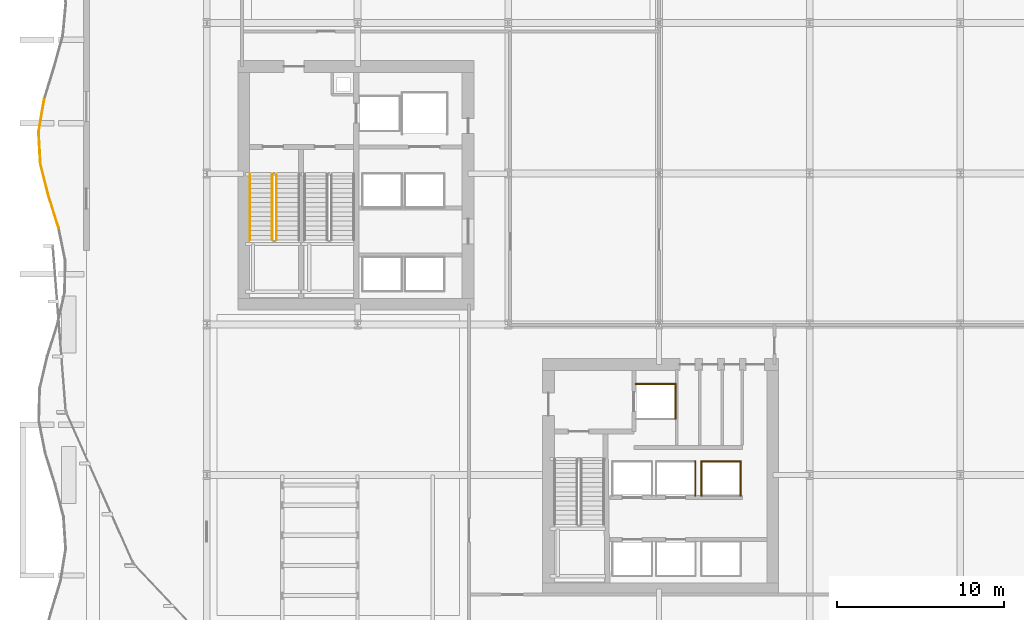
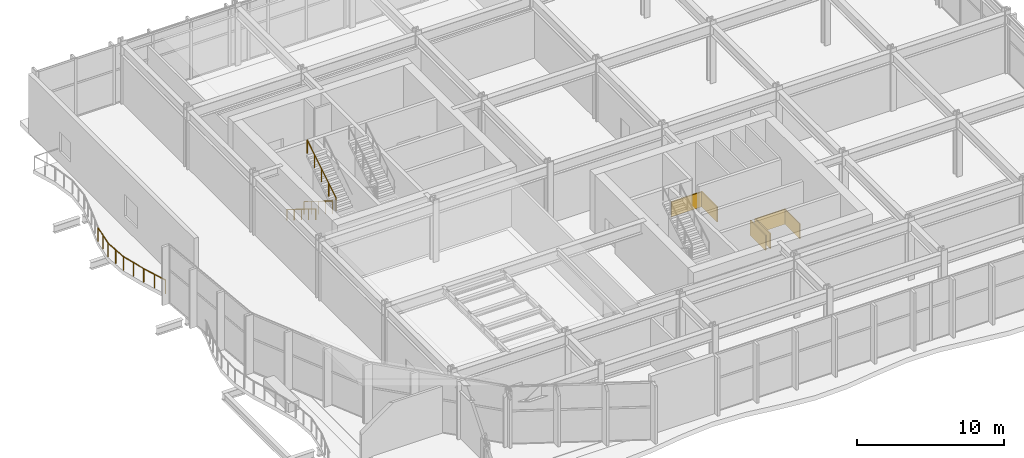
# One storey, part 30 of 33: 7 railings, 6 coverings.
"""IFC4 building model written with IfcOpenShell, lengths in metres."""

import ifcopenshell
import ifcopenshell.guid

model = None  # the IFC model being written
_history = None  # IfcOwnerHistory: only IFC2X3 demands one
_inside = {}  # id of a spatial element -> (the spatial element, [elements in it])
_under = {}  # id of a project, library or spatial element -> (it, [spatial elements below it])
_declared = {}  # id of a project -> (the project, [libraries it declares])
_typed = {}  # id of a type object -> (the type object, [elements of that type])
_made_of = {}  # id of a material, layer set ... -> (it, [elements and type objects made of it])


def new_model(schema):
    """Start an empty IFC model of exactly this schema.

    Asked for "IFC4X3", IfcOpenShell would pick the latest addendum, in which some entities
    have other attributes; the version numbers below select the first issue.
    IFC2X3 requires an IfcOwnerHistory on every rooted entity: one is made here for all.
    """
    global model, _history
    if schema == "IFC4X3":
        model = ifcopenshell.file(schema_version=(4, 3, 0, 0))
    else:
        model = ifcopenshell.file(schema=schema)
    _inside.clear()
    _under.clear()
    _declared.clear()
    _typed.clear()
    _made_of.clear()
    _history = None
    if model.schema == "IFC2X3":
        org = make("IfcOrganization", Name="unknown")
        user = make(
            "IfcPersonAndOrganization",
            ThePerson=make("IfcPerson", FamilyName="unknown"),
            TheOrganization=org,
        )
        app = make(
            "IfcApplication",
            ApplicationDeveloper=org,
            Version="unknown",
            ApplicationFullName="unknown",
            ApplicationIdentifier="unknown",
        )
        _history = make(
            "IfcOwnerHistory",
            OwningUser=user,
            OwningApplication=app,
            ChangeAction="ADDED",
            CreationDate=0,
        )
    return model


def make(cls, **values):
    """One entity of the class cls with the attributes given. An attribute that is None is left unset."""
    return model.create_entity(
        cls, **{name: value for name, value in values.items() if value is not None}
    )


def rooted(cls, **values):
    """An entity with a GlobalId (a new one), such as an element, a storey or a relation."""
    return make(cls, GlobalId=ifcopenshell.guid.new(), OwnerHistory=_history, **values)


def si_unit(unit_type, name, prefix=None):
    """IfcSIUnit, for example si_unit("LENGTHUNIT", "METRE", prefix="MILLI")."""
    return make("IfcSIUnit", UnitType=unit_type, Prefix=prefix, Name=name)


def assignment(units):
    """IfcUnitAssignment: the units of a project."""
    return None if units is None else make("IfcUnitAssignment", Units=units)


def point(xyz):
    """IfcCartesianPoint."""
    return None if xyz is None else make("IfcCartesianPoint", Coordinates=xyz)


def direction(xyz):
    """IfcDirection."""
    return None if xyz is None else make("IfcDirection", DirectionRatios=xyz)


def frame(location, z_axis=None, x_axis=None):
    """IfcAxis2Placement3D, a coordinate frame: its origin and axes. An axis left out is left unset."""
    return make(
        "IfcAxis2Placement3D",
        Location=point(location),
        Axis=direction(z_axis),
        RefDirection=direction(x_axis),
    )


def frame_2d(location, x_axis=None):
    """IfcAxis2Placement2D, a coordinate frame in the plane: its origin and x axis."""
    return make(
        "IfcAxis2Placement2D", Location=point(location), RefDirection=direction(x_axis)
    )


def origin():
    """The frame at (0, 0, 0) with its axes left unset."""
    return frame((0.0, 0.0, 0.0))


def origin_2d():
    """The frame at (0, 0) in the plane with its x axis left unset."""
    return frame_2d((0.0, 0.0))


def place(relative_to, where):
    """IfcLocalPlacement: puts the frame where relative to a parent placement (None: the world)."""
    return make(
        "IfcLocalPlacement", PlacementRelTo=relative_to, RelativePlacement=where
    )


def context(
    kind, dimensions, precision=None, world=None, true_north=None, identifier=None
):
    """IfcGeometricRepresentationContext, for example the 3D "Model" context."""
    return make(
        "IfcGeometricRepresentationContext",
        ContextIdentifier=identifier,
        ContextType=kind,
        CoordinateSpaceDimension=dimensions,
        Precision=precision,
        WorldCoordinateSystem=world,
        TrueNorth=true_north,
    )


def subcontext(parent, identifier, kind, view, scale=None):
    """IfcGeometricRepresentationSubContext, for example "Body" below "Model"."""
    return make(
        "IfcGeometricRepresentationSubContext",
        ContextIdentifier=identifier,
        ContextType=kind,
        ParentContext=parent,
        TargetScale=scale,
        TargetView=view,
    )


def project(units=None, contexts=None):
    """IfcProject with its units and contexts."""
    return rooted(
        "IfcProject",
        Name="project",
        RepresentationContexts=contexts,
        UnitsInContext=assignment(units),
    )


def spatial(cls, under=None, at=None, **own):
    """A site, building, storey or space (cls), placed at a placement, below another one or the project."""
    s = rooted(cls, ObjectPlacement=at, **own)
    if under is not None:
        _under.setdefault(under.id(), (under, []))[1].append(s)
    return s


def profile(cls, at=None, kind="AREA", **sizes):
    """A parametric profile (cls). Its sizes go by their IFC names, for example OverallWidth=200.0."""
    return make(cls, ProfileType=kind, Position=at, **sizes)


def rectangle(**sizes):
    """IfcRectangleProfileDef."""
    return profile("IfcRectangleProfileDef", **sizes)


def circle(**sizes):
    """IfcCircleProfileDef."""
    return profile("IfcCircleProfileDef", **sizes)


def extrude(swept, where, along, depth):
    """IfcExtrudedAreaSolid: the profile swept, set in the frame where, extruded along a direction by depth."""
    return make(
        "IfcExtrudedAreaSolid",
        SweptArea=swept,
        Position=where,
        ExtrudedDirection=direction(along),
        Depth=depth,
    )


def shape(context_of_items, identifier, shape_type, items):
    """IfcShapeRepresentation: the items that make up one representation, for example the "Body"."""
    return make(
        "IfcShapeRepresentation",
        ContextOfItems=context_of_items,
        RepresentationIdentifier=identifier,
        RepresentationType=shape_type,
        Items=items,
    )


def material(Name=None, Category=None):
    """IfcMaterial."""
    return make("IfcMaterial", Name=Name, Category=Category)


def layer(
    of_material, thickness, ventilated=None, Name=None, Category=None, Priority=None
):
    """IfcMaterialLayer: one layer of a wall or slab, of a material (None: an air gap)."""
    return make(
        "IfcMaterialLayer",
        Material=of_material,
        LayerThickness=thickness,
        IsVentilated=ventilated,
        Name=Name,
        Category=Category,
        Priority=Priority,
    )


def layer_set(layers, Name=None):
    """IfcMaterialLayerSet."""
    return make("IfcMaterialLayerSet", MaterialLayers=layers, LayerSetName=Name)


def made_of(thing, what):
    """Note that an element or type object is made of a material, layer set ...; save() writes the relation."""
    if what is not None:
        _made_of.setdefault(what.id(), (what, []))[1].append(thing)
    return thing


def type_object(cls, material=None, **own):
    """A type object (cls), such as IfcWallType, which elements share."""
    return made_of(rooted(cls, **own), material)


def element(
    cls,
    number,
    at=None,
    inside=None,
    cuts=None,
    type_object=None,
    material=None,
    context=None,
    identifier="Body",
    shape_type=None,
    held_by="IfcProductDefinitionShape",
    body=None,
    shapes=None,
    **own,
):
    """One element of the class cls, such as IfcWall. Its Tag is "e" and its number.

    at: its placement. inside: the storey or other place that contains it. cuts: it is an
    opening in that element (IfcRelVoidsElement). A single representation is given by context,
    identifier, shape_type and body (its items); several are given by shapes. held_by: the class
    of the entity that holds the representations. save() writes the other relations.
    """
    e = rooted(cls, Tag="e%d" % number, ObjectPlacement=at, **own)
    if body is not None:
        shapes = [shape(context, identifier, shape_type, body)]
    if shapes is not None:
        e.Representation = make(held_by, Representations=shapes)
    if inside is not None:
        _inside.setdefault(inside.id(), (inside, []))[1].append(e)
    if cuts is not None:
        rooted(
            "IfcRelVoidsElement", RelatingBuildingElement=cuts, RelatedOpeningElement=e
        )
    if type_object is not None:
        _typed.setdefault(type_object.id(), (type_object, []))[1].append(e)
    return made_of(e, material)


def aggregate(whole, parts):
    """IfcRelAggregates: a whole, such as a stair, and the parts it consists of."""
    return rooted("IfcRelAggregates", RelatingObject=whole, RelatedObjects=parts)


def save(model, path):
    """Write the relations noted so far, then the file.

    IfcRelAggregates (storeys below a building ...), IfcRelContainedInSpatialStructure (elements
    in a storey), IfcRelDefinesByType, IfcRelAssociatesMaterial and IfcRelDeclares: one each for
    every whole, place, type object, material and project.
    """
    for whole, parts in _under.values():
        aggregate(whole, parts)
    for where, things in _inside.values():
        rooted(
            "IfcRelContainedInSpatialStructure",
            RelatedElements=things,
            RelatingStructure=where,
        )
    for kind, things in _typed.values():
        rooted("IfcRelDefinesByType", RelatedObjects=things, RelatingType=kind)
    for what, things in _made_of.values():
        rooted("IfcRelAssociatesMaterial", RelatedObjects=things, RelatingMaterial=what)
    for by, libraries in _declared.values():
        rooted("IfcRelDeclares", RelatingContext=by, RelatedDefinitions=libraries)
    model.write(path)


model = new_model("IFC4")

# Units and contexts
model_context = context("Model", 3, precision=1e-05, world=origin(), true_north=direction((0.0, 1.0)))
body_context = subcontext(model_context, "Body", "Model", "MODEL_VIEW")
ifc_project = project(units=[si_unit("LENGTHUNIT", "METRE"), si_unit("AREAUNIT", "SQUARE_METRE"), si_unit("VOLUMEUNIT", "CUBIC_METRE"), si_unit("PLANEANGLEUNIT", "RADIAN"), si_unit("MASSUNIT", "GRAM", prefix="KILO")], contexts=[model_context])

# Site, building, storey
site_placement = place(None, origin())
site = spatial("IfcSite", under=ifc_project, at=site_placement, CompositionType="ELEMENT")
building_placement = place(site_placement, origin())
building = spatial("IfcBuilding", under=site, at=building_placement, Name="Solvaryn Broadcast Tower", CompositionType="ELEMENT")
storey_placement = place(building_placement, frame((0.0, 0.0, 5.800048828125)))
storey = spatial("IfcBuildingStorey", under=building, at=storey_placement, Name="L01", CompositionType="ELEMENT", Elevation=5.800048828125)

# Coverings
ifc_material_1 = material(Name="Fire-Rated Gypsum Shaftwall Liner", Category="concrete")
ifc_layer = layer(ifc_material_1, 0.080078125)
ifc_layer_set = layer_set([ifc_layer], Name="CV-SHAFT-LINER")
covering_type = type_object("IfcCoveringType", Name="CV-SHAFT-LINER", PredefinedType="CLADDING", material=ifc_layer_set)
covering_1_placement = place(storey_placement, frame((35.800048828125, 23.43994140625, 0.0), z_axis=(0.0, 0.0, 1.0), x_axis=(1.0, 0.0, 0.0)))
element("IfcCovering", 1, at=covering_1_placement, inside=storey, type_object=covering_type, Name="L01 FL2 Hoistway Shaft Liner North", PredefinedType="CLADDING", context=body_context, shape_type="SweptSolid", body=[
    extrude(rectangle(XDim=2.4599609375, YDim=0.080078125, at=origin_2d()), origin(), (0.0, 0.0, 1.0), 1.25),
])
covering_2_placement = place(storey_placement, frame((36.989990234375, 22.39990234375, 0.0), z_axis=(0.0, 0.0, 1.0), x_axis=(1.0, 0.0, 0.0)))
element("IfcCovering", 2, at=covering_2_placement, inside=storey, type_object=covering_type, Name="L01 FL2 Hoistway Shaft Liner East", PredefinedType="CLADDING", context=body_context, shape_type="SweptSolid", body=[
    extrude(rectangle(XDim=0.080078125, YDim=2.159912109375, at=origin_2d()), origin(), (0.0, 0.0, 1.0), 1.25),
])
covering_3_placement = place(storey_placement, frame((38.1650390625, 17.800048828125, 0.0), z_axis=(0.0, 0.0, 1.0), x_axis=(1.0, 0.0, 0.0)))
element("IfcCovering", 3, at=covering_3_placement, inside=storey, type_object=covering_type, Name="L01 PL4 Hoistway Shaft Liner East", PredefinedType="CLADDING", context=body_context, shape_type="SweptSolid", body=[
    extrude(rectangle(XDim=0.080078125, YDim=2.110107421875, at=origin_2d()), origin(), (0.0, 0.0, 1.0), 1.25),
])
covering_4_placement = place(storey_placement, frame((39.699951171875, 18.81494140625, 0.0), z_axis=(0.0, 0.0, 1.0), x_axis=(1.0, 0.0, 0.0)))
element("IfcCovering", 4, at=covering_4_placement, inside=storey, type_object=covering_type, Name="L01 PM2 Hoistway Shaft Liner North", PredefinedType="CLADDING", context=body_context, shape_type="SweptSolid", body=[
    extrude(rectangle(XDim=2.409912109375, YDim=0.080078125, at=origin_2d()), origin(), (0.0, 0.0, 1.0), 1.25),
])
for number, where, z_axis, x_axis, name in (
    (5, (40.864990234375, 17.800048828125, 0.0), (0.0, 0.0, 1.0), (1.0, 0.0, 0.0), "L01 PM2 Hoistway Shaft Liner East"),
    (6, (38.534912109375, 17.800048828125, 0.0), (0.0, 0.0, 1.0), (1.0, 0.0, 0.0), "L01 PM2 Hoistway Shaft Liner West"),
):
    element("IfcCovering", number, at=place(storey_placement, frame(where, z_axis=z_axis, x_axis=x_axis)), inside=storey, type_object=covering_type, Name=name, PredefinedType="CLADDING", context=body_context, shape_type="SweptSolid", body=[
        extrude(rectangle(XDim=0.080078125, YDim=2.110107421875, at=origin_2d()), origin(), (0.0, 0.0, 1.0), 1.25),
    ])

# Railings
ifc_material_2 = material(Name="Painted Steel Stair Well Guard", Category="steel")
railing_type_1 = type_object("IfcRailingType", Name="RL-STAIR-GUARD", PredefinedType="BALUSTRADE", material=ifc_material_2)
railing_1_placement = place(storey_placement, frame((12.909912109375, 35.9599609375, 0.17333984375)))
element("IfcRailing", 7, at=railing_1_placement, inside=storey, type_object=railing_type_1, Name="L01 ST1 stair guard 1", PredefinedType="BALUSTRADE", context=body_context, shape_type="SweptSolid", body=[
    extrude(circle(Radius=0.02392578125, at=origin_2d()), frame((0.0, 0.0, 1.076171875), z_axis=(0.0, -0.850275303828, 0.526338206574), x_axis=(1.0, 0.0, 0.0)), (0.0, 0.0, 1.0), 4.610107421875),
    extrude(circle(Radius=0.02099609375, at=origin_2d()), origin(), (0.0, 0.0, 1.0), 1.052001953125),
    extrude(circle(Radius=0.02099609375, at=origin_2d()), frame((0.0, -0.97998046875, 0.606689453125)), (0.0, 0.0, 1.0), 1.052001953125),
    extrude(circle(Radius=0.02099609375, at=origin_2d()), frame((0.0, -1.9599609375, 1.21337890625)), (0.0, 0.0, 1.0), 1.052001953125),
    extrude(circle(Radius=0.02099609375, at=origin_2d()), frame((0.0, -2.93994140625, 1.81982421875)), (0.0, 0.0, 1.0), 1.052001953125),
    extrude(circle(Radius=0.02099609375, at=origin_2d()), frame((0.0, -3.919921875, 2.426513671875)), (0.0, 0.0, 1.0), 1.052001953125),
])
railing_2_placement = place(storey_placement, frame((13.159912109375, 32.0400390625, 2.773193359375)))
element("IfcRailing", 8, at=railing_2_placement, inside=storey, type_object=railing_type_1, Name="L01 ST1 stair guard 3", PredefinedType="BALUSTRADE", context=body_context, shape_type="SweptSolid", body=[
    extrude(circle(Radius=0.02392578125, at=origin_2d()), frame((0.0, 0.0, 1.076171875), z_axis=(0.0, 0.850251603719, 0.526376491091), x_axis=(-1.0, 0.0, 0.0)), (0.0, 0.0, 1.0), 4.6103515625),
    extrude(circle(Radius=0.02099609375, at=origin_2d()), origin(), (0.0, 0.0, 1.0), 1.052001953125),
    extrude(circle(Radius=0.02099609375, at=origin_2d()), frame((0.0, 0.97998046875, 0.606689453125)), (0.0, 0.0, 1.0), 1.052001953125),
    extrude(circle(Radius=0.02099609375, at=origin_2d()), frame((0.0, 1.9599609375, 1.21337890625)), (0.0, 0.0, 1.0), 1.052001953125),
    extrude(circle(Radius=0.02099609375, at=origin_2d()), frame((0.0, 2.93994140625, 1.820068359375)), (0.0, 0.0, 1.0), 1.052001953125),
    extrude(circle(Radius=0.02099609375, at=origin_2d()), frame((0.0, 3.919921875, 2.4267578125)), (0.0, 0.0, 1.0), 1.052001953125),
])
ifc_material_3 = material(Name="Brushed Stainless Steel Tubular Handrail", Category="steel")
railing_type_2 = type_object("IfcRailingType", Name="RL-STAIR-HANDRAIL", PredefinedType="HANDRAIL", material=ifc_material_3)
railing_3_placement = place(storey_placement, frame((11.570068359375, 35.9599609375, 0.17333984375)))
element("IfcRailing", 9, at=railing_3_placement, inside=storey, type_object=railing_type_2, Name="L01 ST1 stair handrail 1", PredefinedType="HANDRAIL", context=body_context, shape_type="SweptSolid", body=[
    extrude(circle(Radius=0.02392578125, at=origin_2d()), frame((0.0, 0.0, 0.8759765625), z_axis=(0.0, -0.850275303828, 0.526338206574), x_axis=(1.0, 0.0, 0.0)), (0.0, 0.0, 1.0), 4.610107421875),
    extrude(circle(Radius=0.02099609375, at=origin_2d()), origin(), (0.0, 0.0, 1.0), 0.851806640625),
    extrude(circle(Radius=0.02099609375, at=origin_2d()), frame((0.0, -0.97998046875, 0.606689453125)), (0.0, 0.0, 1.0), 0.851806640625),
    extrude(circle(Radius=0.02099609375, at=origin_2d()), frame((0.0, -1.9599609375, 1.21337890625)), (0.0, 0.0, 1.0), 0.851806640625),
    extrude(circle(Radius=0.02099609375, at=origin_2d()), frame((0.0, -2.93994140625, 1.81982421875)), (0.0, 0.0, 1.0), 0.851806640625),
    extrude(circle(Radius=0.02099609375, at=origin_2d()), frame((0.0, -3.919921875, 2.426513671875)), (0.0, 0.0, 1.0), 0.851806640625),
])
ifc_material_4 = material(Name="Stainless Steel and Laminated Glass Guard", Category="steel")
railing_type_3 = type_object("IfcRailingType", Name="RL-TER-1150", PredefinedType="BALUSTRADE", material=ifc_material_4)
railing_4_placement = place(storey_placement, frame((0.14892578125, 32.75, 0.0)))
element("IfcRailing", 10, at=railing_4_placement, inside=storey, type_object=railing_type_3, Name="L01 Terrace Guard TS01W-17", PredefinedType="BALUSTRADE", context=body_context, shape_type="SweptSolid", body=[
    extrude(circle(Radius=0.02392578125, at=origin_2d()), frame((0.0, 0.0, 1.1259765625), z_axis=(-0.299886628937, 0.953974847564, 0.0), x_axis=(-0.953974847564, -0.299886628937, 0.0)), (0.0, 0.0, 1.0), 2.00927734375),
    extrude(circle(Radius=0.02099609375, at=origin_2d()), origin(), (0.0, 0.0, 1.0), 1.101806640625),
    extrude(circle(Radius=0.02099609375, at=origin_2d()), frame((-0.30126953125, 0.95849609375, 0.0)), (0.0, 0.0, 1.0), 1.101806640625),
    extrude(circle(Radius=0.02099609375, at=origin_2d()), frame((-0.6025390625, 1.916748046875, 0.0)), (0.0, 0.0, 1.0), 1.101806640625),
])
railing_5_placement = place(storey_placement, frame((-0.45361328125, 34.666748046875, 0.0)))
element("IfcRailing", 11, at=railing_5_placement, inside=storey, type_object=railing_type_3, Name="L01 Terrace Guard TS01W-18", PredefinedType="BALUSTRADE", context=body_context, shape_type="SweptSolid", body=[
    extrude(circle(Radius=0.02392578125, at=origin_2d()), frame((0.0, 0.0, 1.1259765625), z_axis=(-0.246310327863, 0.969191014397, 0.0), x_axis=(-0.969191014397, -0.246310327863, 0.0)), (0.0, 0.0, 1.0), 1.9775390625),
    extrude(circle(Radius=0.02099609375, at=origin_2d()), origin(), (0.0, 0.0, 1.0), 1.101806640625),
    extrude(circle(Radius=0.02099609375, at=origin_2d()), frame((-0.24365234375, 0.958251953125, 0.0)), (0.0, 0.0, 1.0), 1.101806640625),
    extrude(circle(Radius=0.02099609375, at=origin_2d()), frame((-0.487060546875, 1.91650390625, 0.0)), (0.0, 0.0, 1.0), 1.101806640625),
])
railing_6_placement = place(storey_placement, frame((-0.940673828125, 36.583251953125, 0.0)))
element("IfcRailing", 12, at=railing_6_placement, inside=storey, type_object=railing_type_3, Name="L01 Terrace Guard TS01W-19", PredefinedType="BALUSTRADE", context=body_context, shape_type="SweptSolid", body=[
    extrude(circle(Radius=0.02392578125, at=origin_2d()), frame((0.0, 0.0, 1.1259765625), z_axis=(-0.056463085116, 0.998404687499, 0.0), x_axis=(-0.998404687499, -0.056463085116, 0.0)), (0.0, 0.0, 1.0), 1.919921875),
    extrude(circle(Radius=0.02099609375, at=origin_2d()), origin(), (0.0, 0.0, 1.0), 1.101806640625),
    extrude(circle(Radius=0.02099609375, at=origin_2d()), frame((-0.05419921875, 0.95849609375, 0.0)), (0.0, 0.0, 1.0), 1.101806640625),
    extrude(circle(Radius=0.02099609375, at=origin_2d()), frame((-0.1083984375, 1.916748046875, 0.0)), (0.0, 0.0, 1.0), 1.101806640625),
])
railing_7_placement = place(storey_placement, frame((-1.049072265625, 38.5, 0.0)))
element("IfcRailing", 13, at=railing_7_placement, inside=storey, type_object=railing_type_3, Name="L01 Terrace Guard TS01W-20", PredefinedType="BALUSTRADE", context=body_context, shape_type="SweptSolid", body=[
    extrude(circle(Radius=0.02392578125, at=origin_2d()), frame((0.0, 0.0, 1.1259765625), z_axis=(0.168977752996, 0.98561986536, 0.0), x_axis=(-0.98561986536, 0.168977752996, 0.0)), (0.0, 0.0, 1.0), 1.94482421875),
    extrude(circle(Radius=0.02099609375, at=origin_2d()), origin(), (0.0, 0.0, 1.0), 1.101806640625),
    extrude(circle(Radius=0.02099609375, at=origin_2d()), frame((0.164306640625, 0.95849609375, 0.0)), (0.0, 0.0, 1.0), 1.101806640625),
    extrude(circle(Radius=0.02099609375, at=origin_2d()), frame((0.32861328125, 1.916748046875, 0.0)), (0.0, 0.0, 1.0), 1.101806640625),
])

save(model, "model.ifc")
